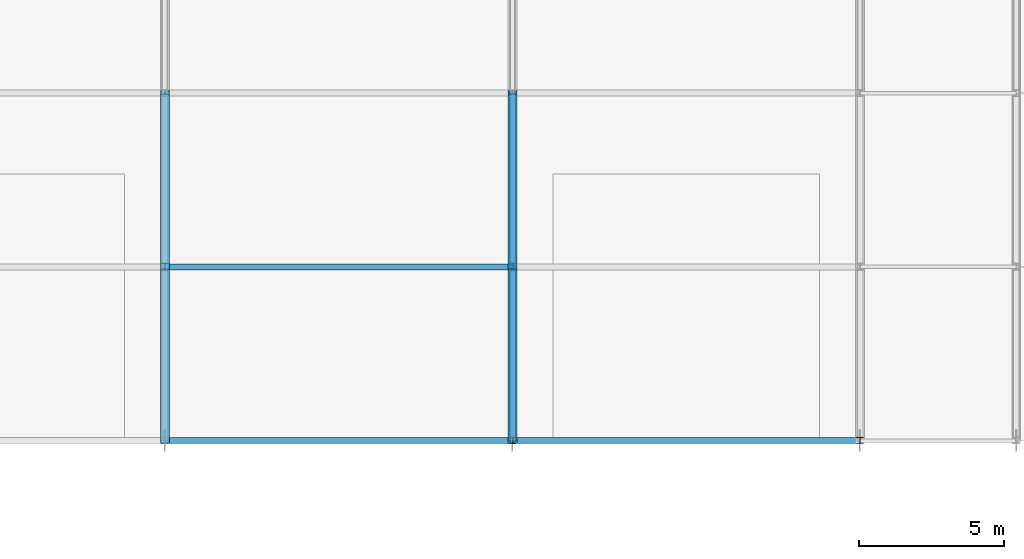
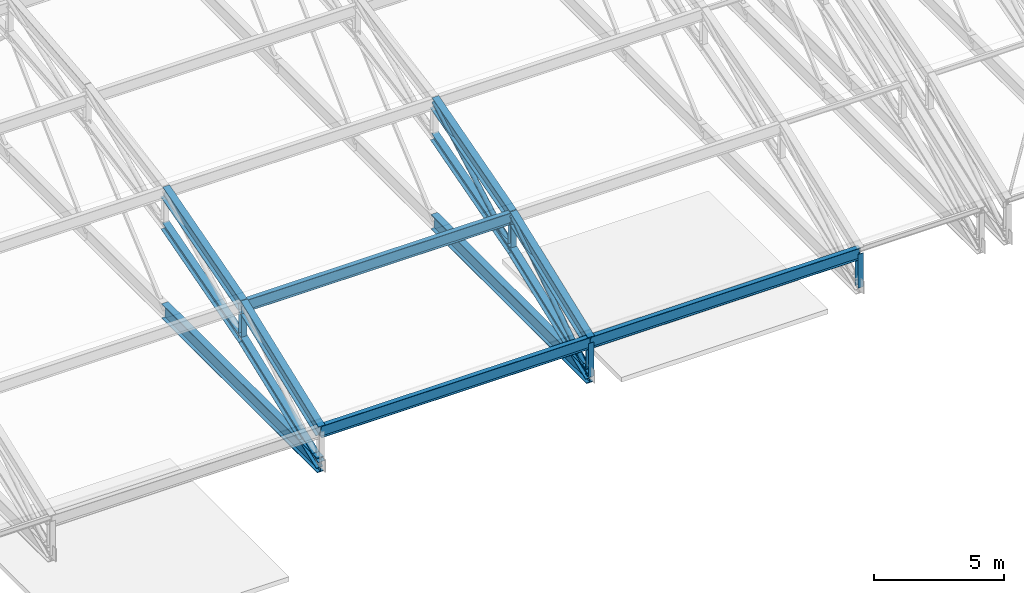
# One storey, part 118 of 204: 19 members.
"""IFC4 building model written with IfcOpenShell, lengths in metres."""

from ifc_helpers import new_model, si_unit, direction, frame, origin, origin_2d, place, context, subcontext, project, spatial, hollow_circle, i_section, extrude, material, material_profile, profile_set, type_object, element, save


model = new_model("IFC4")

# Units and contexts
model_context = context("Model", 3, precision=1e-05, world=origin(), true_north=direction((0.0, 1.0)))
body_context = subcontext(model_context, "Body", "Model", "MODEL_VIEW")
ifc_project = project(units=[si_unit("LENGTHUNIT", "METRE"), si_unit("AREAUNIT", "SQUARE_METRE"), si_unit("VOLUMEUNIT", "CUBIC_METRE"), si_unit("PLANEANGLEUNIT", "RADIAN"), si_unit("MASSUNIT", "GRAM", prefix="KILO")], contexts=[model_context])

# Site, building, storey
site_placement = place(None, origin())
site = spatial("IfcSite", under=ifc_project, at=site_placement, CompositionType="ELEMENT")
building_placement = place(site_placement, origin())
building = spatial("IfcBuilding", under=site, at=building_placement, Name="Zilviju Railside Exhibition Hall", CompositionType="ELEMENT")
storey_placement = place(building_placement, frame((0.0, 0.0, 21.0)))
storey = spatial("IfcBuildingStorey", under=building, at=storey_placement, Name="RF", CompositionType="ELEMENT", Elevation=21.0)

# Members
ifc_material = material(Name="Steel S355J2", Category="steel")
ifc_material_profile_1 = material_profile(ifc_material, hollow_circle(Radius=0.109619140625, WallThickness=0.010009765625, at=origin_2d()), Name="CHS 219.1x10.0")
ifc_profile_set_1 = profile_set([ifc_material_profile_1], Name="Steel S355J2")
member_type_1 = type_object("IfcMemberType", Name="TR-BR-CHS219", PredefinedType="BRACE", material=ifc_profile_set_1)
member_1_placement = place(storey_placement, frame((156.0, 84.0, -3.60009765625), z_axis=(0.0, 0.838995406637, 0.544138500423), x_axis=(-1.0, 0.0, 0.0)))
element("IfcMember", 1, at=member_1_placement, inside=storey, type_object=member_type_1, Name="V2 Parabolic Arch Web Diagonal X=156.0 P1", PredefinedType="BRACE", context=body_context, shape_type="SweptSolid", body=[
    extrude(hollow_circle(Radius=0.109619140625, WallThickness=0.010009765625, at=origin_2d()), origin(), (0.0, 0.0, 1.0), 7.1513671875),
])
member_2_placement = place(storey_placement, frame((156.0, 90.0, -1.30859375), z_axis=(0.0, 0.8750828143, 0.483973210122), x_axis=(-1.0, 0.0, 0.0)))
element("IfcMember", 2, at=member_2_placement, inside=storey, type_object=member_type_1, Name="V2 Parabolic Arch Web Diagonal X=156.0 P2", PredefinedType="BRACE", context=body_context, shape_type="SweptSolid", body=[
    extrude(hollow_circle(Radius=0.109619140625, WallThickness=0.010009765625, at=origin_2d()), origin(), (0.0, 0.0, 1.0), 6.8564453125),
])
ifc_material_profile_2 = material_profile(ifc_material, i_section(OverallWidth=0.300048828125, OverallDepth=0.39990234375, WebThickness=0.013427734375, FlangeThickness=0.02392578125, at=origin_2d()), Name="HEB 400")
ifc_profile_set_2 = profile_set([ifc_material_profile_2], Name="Steel S355J2")
member_type_2 = type_object("IfcMemberType", Name="TR-CH-HEB400", PredefinedType="CHORD", material=ifc_profile_set_2)
member_3_placement = place(storey_placement, frame((144.0, 84.0, -3.60009765625), z_axis=(0.0, 0.934187521086, 0.35678239229), x_axis=(-1.0, 0.0, 0.0)))
element("IfcMember", 3, at=member_3_placement, inside=storey, type_object=member_type_2, Name="V2 Parabolic Arch Bottom Chord X=144.0 P1", PredefinedType="CHORD", context=body_context, shape_type="SweptSolid", body=[
    extrude(i_section(OverallWidth=0.300048828125, OverallDepth=0.39990234375, WebThickness=0.013427734375, FlangeThickness=0.02392578125, at=origin_2d()), origin(), (0.0, 0.0, 1.0), 6.422607421875),
])
member_4_placement = place(storey_placement, frame((144.0, 90.0, -1.30859375), z_axis=(0.0, 0.961345133658, 0.275346207512), x_axis=(-1.0, 0.0, 0.0)))
element("IfcMember", 4, at=member_4_placement, inside=storey, type_object=member_type_2, Name="V2 Parabolic Arch Bottom Chord X=144.0 P2", PredefinedType="CHORD", context=body_context, shape_type="SweptSolid", body=[
    extrude(i_section(OverallWidth=0.300048828125, OverallDepth=0.39990234375, WebThickness=0.013427734375, FlangeThickness=0.02392578125, at=origin_2d()), origin(), (0.0, 0.0, 1.0), 6.2412109375),
])
member_5_placement = place(storey_placement, frame((156.0, 84.0, -3.60009765625), z_axis=(0.0, 0.934187521086, 0.35678239229), x_axis=(-1.0, 0.0, 0.0)))
element("IfcMember", 5, at=member_5_placement, inside=storey, type_object=member_type_2, Name="V2 Parabolic Arch Bottom Chord X=156.0 P1", PredefinedType="CHORD", context=body_context, shape_type="SweptSolid", body=[
    extrude(i_section(OverallWidth=0.300048828125, OverallDepth=0.39990234375, WebThickness=0.013427734375, FlangeThickness=0.02392578125, at=origin_2d()), origin(), (0.0, 0.0, 1.0), 6.422607421875),
])
member_6_placement = place(storey_placement, frame((156.0, 90.0, -1.30859375), z_axis=(0.0, 0.961345133658, 0.275346207512), x_axis=(-1.0, 0.0, 0.0)))
element("IfcMember", 6, at=member_6_placement, inside=storey, type_object=member_type_2, Name="V2 Parabolic Arch Bottom Chord X=156.0 P2", PredefinedType="CHORD", context=body_context, shape_type="SweptSolid", body=[
    extrude(i_section(OverallWidth=0.300048828125, OverallDepth=0.39990234375, WebThickness=0.013427734375, FlangeThickness=0.02392578125, at=origin_2d()), origin(), (0.0, 0.0, 1.0), 6.2412109375),
])
ifc_material_profile_3 = material_profile(ifc_material, i_section(OverallWidth=0.300048828125, OverallDepth=0.60009765625, WebThickness=0.015380859375, FlangeThickness=0.030029296875, at=origin_2d()), Name="HEB 600")
ifc_profile_set_3 = profile_set([ifc_material_profile_3], Name="Steel S355J2")
member_type_3 = type_object("IfcMemberType", Name="TR-CH-HEB600", PredefinedType="CHORD", material=ifc_profile_set_3)
member_7_placement = place(storey_placement, frame((144.0, 84.0, -2.0), z_axis=(0.0, 0.934200190194, 0.356749218138), x_axis=(-1.0, 0.0, 0.0)))
element("IfcMember", 7, at=member_7_placement, inside=storey, type_object=member_type_3, Name="V2 Parabolic Arch Top Chord X=144.0 P1", PredefinedType="CHORD", context=body_context, shape_type="SweptSolid", body=[
    extrude(i_section(OverallWidth=0.300048828125, OverallDepth=0.60009765625, WebThickness=0.015380859375, FlangeThickness=0.030029296875, at=origin_2d()), origin(), (0.0, 0.0, 1.0), 6.422607421875),
])
member_8_placement = place(storey_placement, frame((144.0, 90.0, 0.291259765625), z_axis=(0.0, 0.961345133658, 0.275346207512), x_axis=(-1.0, 0.0, 0.0)))
element("IfcMember", 8, at=member_8_placement, inside=storey, type_object=member_type_3, Name="V2 Parabolic Arch Top Chord X=144.0 P2", PredefinedType="CHORD", context=body_context, shape_type="SweptSolid", body=[
    extrude(i_section(OverallWidth=0.300048828125, OverallDepth=0.60009765625, WebThickness=0.015380859375, FlangeThickness=0.030029296875, at=origin_2d()), origin(), (0.0, 0.0, 1.0), 6.2412109375),
])
member_9_placement = place(storey_placement, frame((156.0, 84.0, -2.0), z_axis=(0.0, 0.934200190194, 0.356749218138), x_axis=(-1.0, 0.0, 0.0)))
element("IfcMember", 9, at=member_9_placement, inside=storey, type_object=member_type_3, Name="V2 Parabolic Arch Top Chord X=156.0 P1", PredefinedType="CHORD", context=body_context, shape_type="SweptSolid", body=[
    extrude(i_section(OverallWidth=0.300048828125, OverallDepth=0.60009765625, WebThickness=0.015380859375, FlangeThickness=0.030029296875, at=origin_2d()), origin(), (0.0, 0.0, 1.0), 6.422607421875),
])
member_10_placement = place(storey_placement, frame((156.0, 90.0, 0.291259765625), z_axis=(0.0, 0.961345133658, 0.275346207512), x_axis=(-1.0, 0.0, 0.0)))
element("IfcMember", 10, at=member_10_placement, inside=storey, type_object=member_type_3, Name="V2 Parabolic Arch Top Chord X=156.0 P2", PredefinedType="CHORD", context=body_context, shape_type="SweptSolid", body=[
    extrude(i_section(OverallWidth=0.300048828125, OverallDepth=0.60009765625, WebThickness=0.015380859375, FlangeThickness=0.030029296875, at=origin_2d()), origin(), (0.0, 0.0, 1.0), 6.2412109375),
])
ifc_material_profile_4 = material_profile(ifc_material, i_section(OverallWidth=0.239990234375, OverallDepth=0.22998046875, WebThickness=0.007568359375, FlangeThickness=0.011962890625, at=origin_2d()), Name="HEA 240")
ifc_profile_set_4 = profile_set([ifc_material_profile_4], Name="Steel S355J2")
member_type_4 = type_object("IfcMemberType", Name="TR-POST-HEA240", PredefinedType="POST", material=ifc_profile_set_4)
member_11_placement = place(storey_placement, frame((144.0, 90.0, -1.30859375), z_axis=(0.0, 0.0, 1.0), x_axis=(1.0, 0.0, 0.0)))
element("IfcMember", 11, at=member_11_placement, inside=storey, type_object=member_type_4, Name="V2 Parabolic Arch Web Post X=144.0 N1", PredefinedType="POST", context=body_context, shape_type="SweptSolid", body=[
    extrude(i_section(OverallWidth=0.239990234375, OverallDepth=0.22998046875, WebThickness=0.007568359375, FlangeThickness=0.011962890625, at=origin_2d()), origin(), (0.0, 0.0, 1.0), 1.599853515625),
])
member_12_placement = place(storey_placement, frame((156.0, 84.0, -3.60009765625), z_axis=(0.0, 0.0, 1.0), x_axis=(1.0, 0.0, 0.0)))
element("IfcMember", 12, at=member_12_placement, inside=storey, type_object=member_type_4, Name="V2 Parabolic Arch Web Post X=156.0 N0", PredefinedType="POST", context=body_context, shape_type="SweptSolid", body=[
    extrude(i_section(OverallWidth=0.239990234375, OverallDepth=0.22998046875, WebThickness=0.007568359375, FlangeThickness=0.011962890625, at=origin_2d()), origin(), (0.0, 0.0, 1.0), 1.60009765625),
])
member_13_placement = place(storey_placement, frame((156.0, 90.0, -1.30859375), z_axis=(0.0, 0.0, 1.0), x_axis=(1.0, 0.0, 0.0)))
element("IfcMember", 13, at=member_13_placement, inside=storey, type_object=member_type_4, Name="V2 Parabolic Arch Web Post X=156.0 N1", PredefinedType="POST", context=body_context, shape_type="SweptSolid", body=[
    extrude(i_section(OverallWidth=0.239990234375, OverallDepth=0.22998046875, WebThickness=0.007568359375, FlangeThickness=0.011962890625, at=origin_2d()), origin(), (0.0, 0.0, 1.0), 1.599853515625),
])
member_14_placement = place(storey_placement, frame((168.0, 84.0, -3.60009765625), z_axis=(0.0, 0.0, 1.0), x_axis=(1.0, 0.0, 0.0)))
element("IfcMember", 14, at=member_14_placement, inside=storey, type_object=member_type_4, Name="V2 Parabolic Arch Web Post X=168.0 N0", PredefinedType="POST", context=body_context, shape_type="SweptSolid", body=[
    extrude(i_section(OverallWidth=0.239990234375, OverallDepth=0.22998046875, WebThickness=0.007568359375, FlangeThickness=0.011962890625, at=origin_2d()), origin(), (0.0, 0.0, 1.0), 1.60009765625),
])
ifc_material_profile_5 = material_profile(ifc_material, i_section(OverallWidth=0.2099609375, OverallDepth=0.550048828125, WebThickness=0.010986328125, FlangeThickness=0.01708984375, at=origin_2d()), Name="IPE 550")
ifc_profile_set_5 = profile_set([ifc_material_profile_5], Name="Steel S355J2")
member_type_5 = type_object("IfcMemberType", Name="TR-PUR-IPE550", PredefinedType="PURLIN", material=ifc_profile_set_5)
for number, where, z_axis, x_axis, name in (
    (15, (144.0, 84.0, -2.011962890625), (1.0, 0.0, 0.0), (0.0, 1.0, 0.0), "V2 Barrel Vault Roof Purlin Y=84.0 (144.0..156.0)"),
    (16, (144.0, 90.0, 0.239501953125), (1.0, 0.0, 0.0), (0.0, 1.0, 0.0), "V2 Barrel Vault Roof Purlin Y=90.0 (144.0..156.0)"),
    (17, (156.0, 84.0, -2.011962890625), (1.0, 0.0, 0.0), (0.0, 1.0, 0.0), "V2 Barrel Vault Roof Purlin Y=84.0 (156.0..168.0)"),
):
    element("IfcMember", number, at=place(storey_placement, frame(where, z_axis=z_axis, x_axis=x_axis)), inside=storey, type_object=member_type_5, Name=name, PredefinedType="PURLIN", context=body_context, shape_type="SweptSolid", body=[
        extrude(i_section(OverallWidth=0.2099609375, OverallDepth=0.550048828125, WebThickness=0.010986328125, FlangeThickness=0.01708984375, at=origin_2d()), origin(), (0.0, 0.0, 1.0), 12.0),
    ])
ifc_material_profile_6 = material_profile(ifc_material, i_section(OverallWidth=0.300048828125, OverallDepth=0.699951171875, WebThickness=0.01708984375, FlangeThickness=0.031982421875, at=origin_2d()), Name="HEB 700")
ifc_profile_set_6 = profile_set([ifc_material_profile_6], Name="Steel S355J2")
member_type_6 = type_object("IfcMemberType", Name="TR-TIE-HEB700", PredefinedType="CHORD", material=ifc_profile_set_6)
for number, where, z_axis, x_axis, name in (
    (18, (144.0, 84.0, -3.60009765625), (0.0, 1.0, 0.0), (-1.0, 0.0, 0.0), "V2 Arch Tie Member X=144.0"),
    (19, (156.0, 84.0, -3.60009765625), (0.0, 1.0, 0.0), (-1.0, 0.0, 0.0), "V2 Arch Tie Member X=156.0"),
):
    element("IfcMember", number, at=place(storey_placement, frame(where, z_axis=z_axis, x_axis=x_axis)), inside=storey, type_object=member_type_6, Name=name, PredefinedType="CHORD", context=body_context, shape_type="SweptSolid", body=[
        extrude(i_section(OverallWidth=0.300048828125, OverallDepth=0.699951171875, WebThickness=0.01708984375, FlangeThickness=0.031982421875, at=origin_2d()), origin(), (0.0, 0.0, 1.0), 12.0),
    ])

save(model, "model.ifc")
